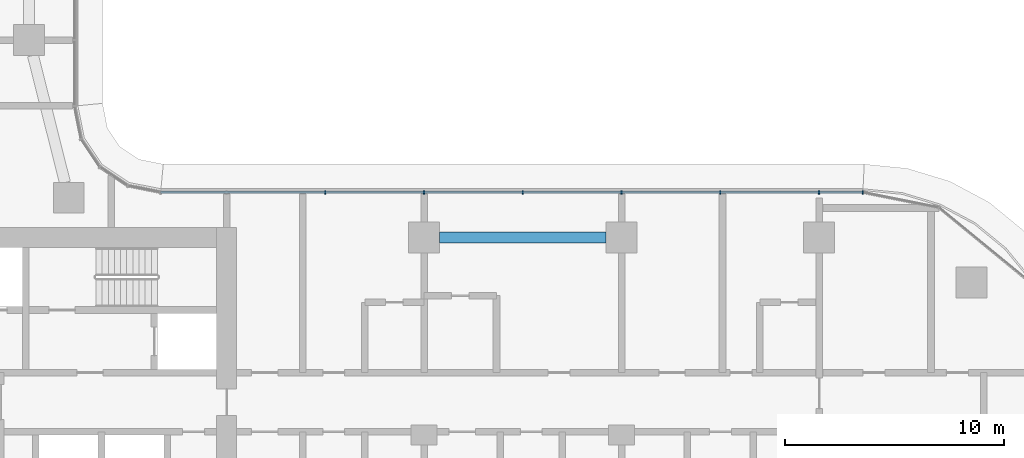
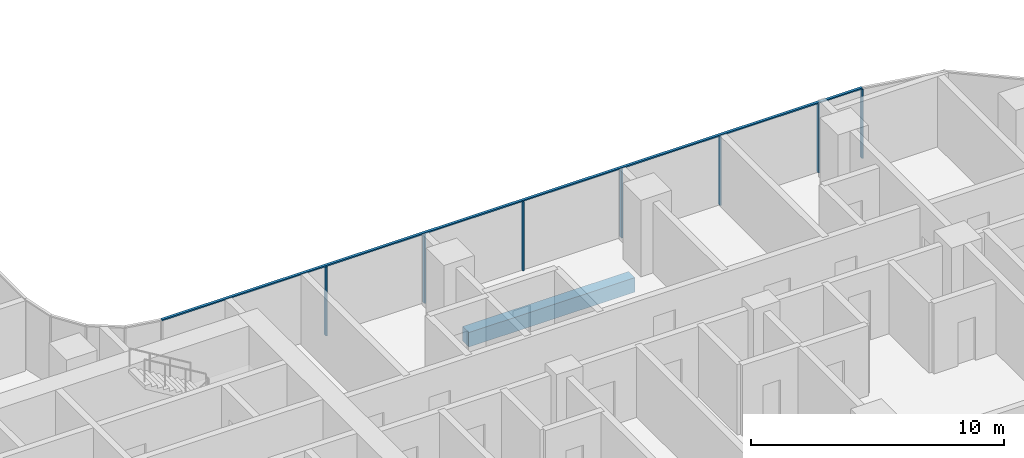
# One storey, part 4 of 36: 8 members, 1 beam, 1 element without a shape of its own.
"""IFC4 building model written with IfcOpenShell, lengths in metres."""

from ifc_helpers import new_model, si_unit, direction, frame, origin, origin_2d, place, context, subcontext, project, spatial, rectangle, extrude, material, material_profile, profile_set, type_object, element, aggregate, save


model = new_model("IFC4")

# Units and contexts
model_context = context("Model", 3, precision=1e-05, world=origin(), true_north=direction((0.0, 1.0)))
body_context = subcontext(model_context, "Body", "Model", "MODEL_VIEW")
ifc_project = project(units=[si_unit("LENGTHUNIT", "METRE"), si_unit("AREAUNIT", "SQUARE_METRE"), si_unit("VOLUMEUNIT", "CUBIC_METRE"), si_unit("PLANEANGLEUNIT", "RADIAN"), si_unit("MASSUNIT", "GRAM", prefix="KILO")], contexts=[model_context])

# Site, building, storey
site_placement = place(None, origin())
site = spatial("IfcSite", under=ifc_project, at=site_placement, CompositionType="ELEMENT")
building_placement = place(site_placement, origin())
building = spatial("IfcBuilding", under=site, at=building_placement, Name="Ogive Portal Towers", CompositionType="ELEMENT")
storey_placement = place(building_placement, frame((0.0, 0.0, 52.0)))
storey = spatial("IfcBuildingStorey", under=building, at=storey_placement, Name="L11", CompositionType="ELEMENT", Elevation=52.0)

# Curtain wall, members
ifc_material_1 = material(Name="Glass, clear low-iron insulated glazing", Category="glass")
curtain_wall_type = type_object("IfcCurtainWallType", Name="CW FRONT RIBBON 4500", PredefinedType="NOTDEFINED", material=ifc_material_1)
curtain_wall_placement = place(storey_placement, origin())
curtain_wall = element("IfcCurtainWall", 1, at=curtain_wall_placement, inside=storey, type_object=curtain_wall_type, Name="A:L11:f16:cw0", PredefinedType="NOTDEFINED")
ifc_material_2 = material(Name="Aluminium 6063 anodised", Category="aluminium")
ifc_material_profile_1 = material_profile(ifc_material_2, rectangle(XDim=0.159912109375, YDim=0.06005859375, at=origin_2d()), Name="AL 60x160")
ifc_profile_set_1 = profile_set([ifc_material_profile_1], Name="Aluminium 6063 anodised")
member_type_1 = type_object("IfcMemberType", Name="CW MULLION 60x160", PredefinedType="MULLION", material=ifc_profile_set_1)
member_1_placement = place(storey_placement, frame((87.4921875, 41.56494140625, 0.0), z_axis=(0.0, 0.0, 1.0), x_axis=(0.0, -1.0, 0.0)))
member_1 = element("IfcMember", 2, at=member_1_placement, type_object=member_type_1, Name="mullion", PredefinedType="MULLION", context=body_context, shape_type="SweptSolid", body=[
    extrude(rectangle(XDim=0.159912109375, YDim=0.06005859375, at=origin_2d()), origin(), (0.0, 0.0, 1.0), 3.340087890625),
])
member_2_placement = place(storey_placement, frame((85.5, 41.56494140625, 0.0), z_axis=(0.0, 0.0, 1.0), x_axis=(0.0, -1.0, 0.0)))
member_2 = element("IfcMember", 3, at=member_2_placement, type_object=member_type_1, Name="mullion", PredefinedType="MULLION", context=body_context, shape_type="SweptSolid", body=[
    extrude(rectangle(XDim=0.159912109375, YDim=0.06005859375, at=origin_2d()), origin(), (0.0, 0.0, 1.0), 3.340087890625),
])
member_3_placement = place(storey_placement, frame((81.0, 41.56494140625, 0.0), z_axis=(0.0, 0.0, 1.0), x_axis=(0.0, -1.0, 0.0)))
member_3 = element("IfcMember", 4, at=member_3_placement, type_object=member_type_1, Name="mullion", PredefinedType="MULLION", context=body_context, shape_type="SweptSolid", body=[
    extrude(rectangle(XDim=0.159912109375, YDim=0.06005859375, at=origin_2d()), origin(), (0.0, 0.0, 1.0), 3.340087890625),
])
member_4_placement = place(storey_placement, frame((76.5, 41.56494140625, 0.0), z_axis=(0.0, 0.0, 1.0), x_axis=(0.0, -1.0, 0.0)))
member_4 = element("IfcMember", 5, at=member_4_placement, type_object=member_type_1, Name="mullion", PredefinedType="MULLION", context=body_context, shape_type="SweptSolid", body=[
    extrude(rectangle(XDim=0.159912109375, YDim=0.06005859375, at=origin_2d()), origin(), (0.0, 0.0, 1.0), 3.340087890625),
])
member_5_placement = place(storey_placement, frame((72.0, 41.56494140625, 0.0), z_axis=(0.0, 0.0, 1.0), x_axis=(0.0, -1.0, 0.0)))
member_5 = element("IfcMember", 6, at=member_5_placement, type_object=member_type_1, Name="mullion", PredefinedType="MULLION", context=body_context, shape_type="SweptSolid", body=[
    extrude(rectangle(XDim=0.159912109375, YDim=0.06005859375, at=origin_2d()), origin(), (0.0, 0.0, 1.0), 3.340087890625),
])
member_6_placement = place(storey_placement, frame((67.5, 41.56494140625, 0.0), z_axis=(0.0, 0.0, 1.0), x_axis=(0.0, -1.0, 0.0)))
member_6 = element("IfcMember", 7, at=member_6_placement, type_object=member_type_1, Name="mullion", PredefinedType="MULLION", context=body_context, shape_type="SweptSolid", body=[
    extrude(rectangle(XDim=0.159912109375, YDim=0.06005859375, at=origin_2d()), origin(), (0.0, 0.0, 1.0), 3.340087890625),
])
member_7_placement = place(storey_placement, frame((63.0, 41.56494140625, 0.0), z_axis=(0.0, 0.0, 1.0), x_axis=(0.0, -1.0, 0.0)))
member_7 = element("IfcMember", 8, at=member_7_placement, type_object=member_type_1, Name="mullion", PredefinedType="MULLION", context=body_context, shape_type="SweptSolid", body=[
    extrude(rectangle(XDim=0.159912109375, YDim=0.06005859375, at=origin_2d()), origin(), (0.0, 0.0, 1.0), 3.340087890625),
])
ifc_material_profile_2 = material_profile(ifc_material_2, rectangle(XDim=0.1201171875, YDim=0.06005859375, at=origin_2d()), Name="AL 120x60")
ifc_profile_set_2 = profile_set([ifc_material_profile_2], Name="Aluminium 6063 anodised")
member_type_2 = type_object("IfcMemberType", Name="CW TRANSOM 60x120", PredefinedType="USERDEFINED", material=ifc_profile_set_2)
member_8_placement = place(storey_placement, frame((87.4921875, 41.56494140625, 3.3701171875), z_axis=(-1.0, 0.0, 0.0), x_axis=(0.0, -1.0, 0.0)))
member_8 = element("IfcMember", 9, at=member_8_placement, type_object=member_type_2, Name="transom", ObjectType="TRANSOM", PredefinedType="USERDEFINED", context=body_context, shape_type="SweptSolid", body=[
    extrude(rectangle(XDim=0.1201171875, YDim=0.06005859375, at=origin_2d()), origin(), (0.0, 0.0, 1.0), 32.0),
])
aggregate(curtain_wall, [member_8, member_1, member_2, member_3, member_4, member_5, member_6, member_7])

# Beam
ifc_material_3 = material(Name="Concrete C40/50", Category="concrete")
ifc_material_profile_3 = material_profile(ifc_material_3, rectangle(XDim=0.5, YDim=0.699951171875, at=origin_2d()), Name="RC 500x700")
ifc_profile_set_3 = profile_set([ifc_material_profile_3], Name="Concrete C40/50")
beam_type = type_object("IfcBeamType", Name="SPANDREL BEAM RC 500x700", PredefinedType="BEAM", material=ifc_profile_set_3)
beam_placement = place(storey_placement, frame((68.199951171875, 39.5, -0.64990234375), z_axis=(1.0, 0.0, 0.0), x_axis=(0.0, 1.0, 0.0)))
element("IfcBeam", 10, at=beam_placement, inside=storey, type_object=beam_type, Name="Spandrel beam L11", PredefinedType="BEAM", context=body_context, shape_type="SweptSolid", body=[
    extrude(rectangle(XDim=0.5, YDim=0.699951171875, at=origin_2d()), origin(), (0.0, 0.0, 1.0), 7.60009765625),
])

save(model, "model.ifc")
